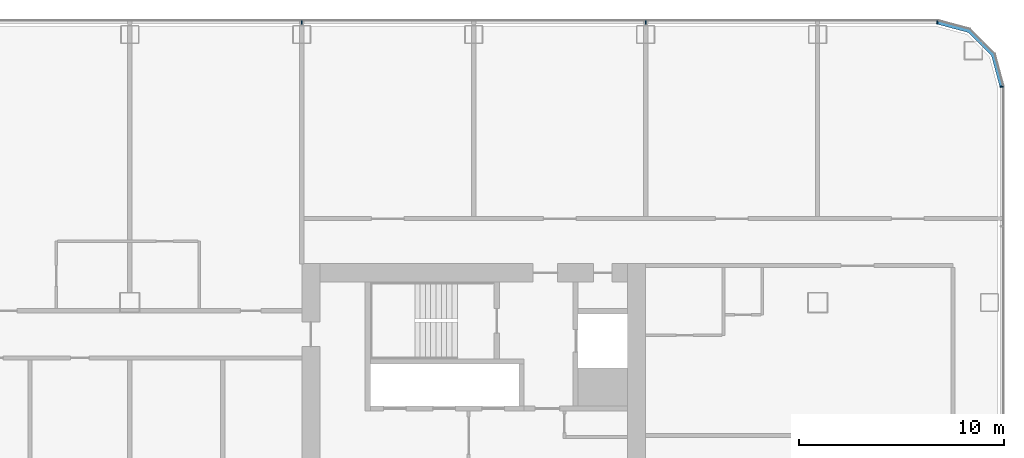
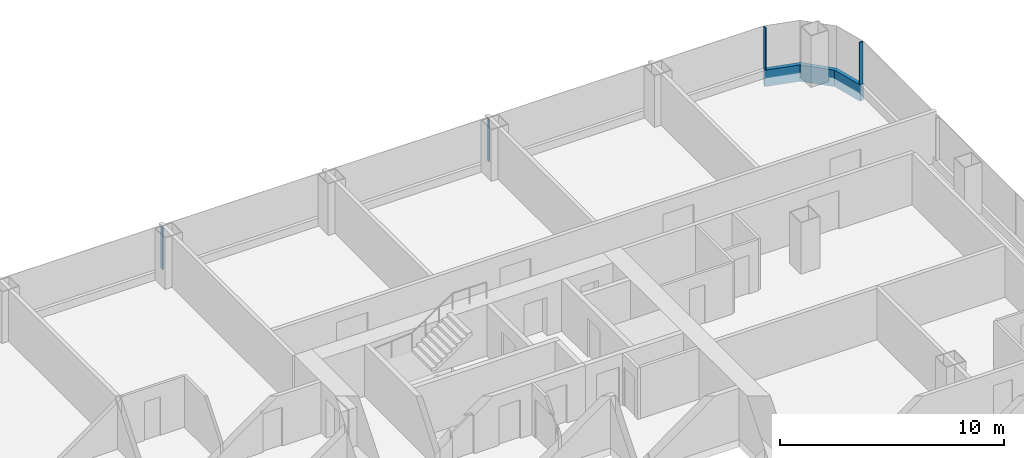
# One storey, part 11 of 29: 5 members, 3 elements without a shape of their own.
"""IFC4 building model written with IfcOpenShell, lengths in metres."""

from ifc_helpers import new_model, si_unit, direction, frame, origin, origin_2d, place, context, subcontext, project, spatial, polyline, rectangle, outline, extrude, material, layer, layer_set, material_profile, profile_set, type_object, element, aggregate, save


model = new_model("IFC4")

# Units and contexts
model_context = context("Model", 3, precision=1e-05, world=origin(), true_north=direction((0.0, 1.0)))
body_context = subcontext(model_context, "Body", "Model", "MODEL_VIEW")
ifc_project = project(units=[si_unit("LENGTHUNIT", "METRE"), si_unit("AREAUNIT", "SQUARE_METRE"), si_unit("VOLUMEUNIT", "CUBIC_METRE"), si_unit("PLANEANGLEUNIT", "RADIAN"), si_unit("MASSUNIT", "GRAM", prefix="KILO")], contexts=[model_context])

# Site, building, storey
site_placement = place(None, origin())
site = spatial("IfcSite", under=ifc_project, at=site_placement, CompositionType="ELEMENT")
building_placement = place(site_placement, origin())
building = spatial("IfcBuilding", under=site, at=building_placement, Name="Hakoniwa Tower and Hamabe Station Hall", CompositionType="ELEMENT")
storey_placement = place(building_placement, frame((0.0, 0.0, 45.39990234375)))
storey = spatial("IfcBuildingStorey", under=building, at=storey_placement, Name="L12", CompositionType="ELEMENT", Elevation=45.39990234375)

# Curtain wall, member
ifc_material_1 = material(Name="Dark low-e laminated glass", Category="glass")
ifc_layer = layer(ifc_material_1, 0.199951171875)
ifc_layer_set = layer_set([ifc_layer], Name="CW-1 UNITISED GUEST")
curtain_wall_type = type_object("IfcCurtainWallType", Name="CW-1 UNITISED GUEST", PredefinedType="NOTDEFINED", material=ifc_layer_set)
curtain_wall_1_placement = place(storey_placement, origin())
curtain_wall_1 = element("IfcCurtainWall", 1, at=curtain_wall_1_placement, inside=storey, type_object=curtain_wall_type, Name="CW-1 curtain wall", PredefinedType="NOTDEFINED")
ifc_material_2 = material(Name="Aluminium 6063-T5 black anodised", Category="aluminium")
ifc_material_profile_1 = material_profile(ifc_material_2, rectangle(XDim=0.199951171875, YDim=0.89990234375, at=origin_2d()), Name="CW SLAB-EDGE BAND 900X200")
ifc_profile_set_1 = profile_set([ifc_material_profile_1], Name="Aluminium 6063-T5 black anodised")
member_type_1 = type_object("IfcMemberType", Name="CW SLAB-EDGE BAND 900X200", PredefinedType="USERDEFINED", material=ifc_profile_set_1)
member_1_placement = place(storey_placement, frame((0.0, 0.0, -0.5498046875)))
member_1 = element("IfcMember", 2, at=member_1_placement, type_object=member_type_1, Name="CW-1 transom", ObjectType="TRANSOM", PredefinedType="USERDEFINED", context=body_context, shape_type="SweptSolid", body=[
    extrude(outline(polyline([(51.10009765625, 17.03955078125), (50.6669921875, 18.6552734375), (49.455322265625, 19.866943359375), (47.839599609375, 20.300048828125), (47.787841796875, 20.10693359375), (49.351806640625, 19.687744140625), (50.48779296875, 18.5517578125), (50.90673828125, 16.98779296875), (51.10009765625, 17.03955078125)])), origin(), (0.0, 0.0, 1.0), 0.89990234375),
])
aggregate(curtain_wall_1, [member_1])

curtain_wall_2_placement = place(storey_placement, origin())
curtain_wall_2 = element("IfcCurtainWall", 3, at=curtain_wall_2_placement, inside=storey, type_object=curtain_wall_type, Name="CW-1 curtain wall", PredefinedType="NOTDEFINED")
ifc_material_3 = material(Name="Aluminium 6063-T5 black anodised", Category="aluminium")
ifc_material_profile_2 = material_profile(ifc_material_3, rectangle(XDim=0.06005859375, YDim=0.179931640625, at=origin_2d()), Name="CW-1 MULLION 60X180")
ifc_profile_set_2 = profile_set([ifc_material_profile_2], Name="Aluminium 6063-T5 black anodised")
member_type_2 = type_object("IfcMemberType", Name="CW-1 MULLION 60X180", PredefinedType="MULLION", material=ifc_profile_set_2)
member_2_placement = place(storey_placement, frame((50.98193359375, 17.03955078125, 0.35009765625), z_axis=(0.0, 0.0, 1.0), x_axis=(0.0, 1.0, 0.0)))
member_2 = element("IfcMember", 4, at=member_2_placement, type_object=member_type_2, Name="CW-1 mullion", PredefinedType="MULLION", context=body_context, shape_type="SweptSolid", body=[
    extrude(rectangle(XDim=0.06005859375, YDim=0.179931640625, at=origin_2d()), origin(), (0.0, 0.0, 1.0), 2.300048828125),
])
aggregate(curtain_wall_2, [member_2])

# Curtain wall, members
curtain_wall_3_placement = place(storey_placement, origin())
curtain_wall_3 = element("IfcCurtainWall", 5, at=curtain_wall_3_placement, inside=storey, type_object=curtain_wall_type, Name="CW-1 curtain wall", PredefinedType="NOTDEFINED")
member_3_placement = place(storey_placement, frame((47.839599609375, 20.181884765625, 0.35009765625), z_axis=(0.0, 0.0, 1.0), x_axis=(-1.0, 0.0, 0.0)))
member_3 = element("IfcMember", 6, at=member_3_placement, type_object=member_type_2, Name="CW-1 mullion", PredefinedType="MULLION", context=body_context, shape_type="SweptSolid", body=[
    extrude(rectangle(XDim=0.06005859375, YDim=0.179931640625, at=origin_2d()), origin(), (0.0, 0.0, 1.0), 2.300048828125),
])
member_4_placement = place(storey_placement, frame((33.60009765625, 20.181884765625, 0.35009765625), z_axis=(0.0, 0.0, 1.0), x_axis=(-1.0, 0.0, 0.0)))
member_4 = element("IfcMember", 7, at=member_4_placement, type_object=member_type_2, Name="CW-1 mullion", PredefinedType="MULLION", context=body_context, shape_type="SweptSolid", body=[
    extrude(rectangle(XDim=0.06005859375, YDim=0.179931640625, at=origin_2d()), origin(), (0.0, 0.0, 1.0), 2.300048828125),
])
member_5_placement = place(storey_placement, frame((16.800048828125, 20.181884765625, 0.35009765625), z_axis=(0.0, 0.0, 1.0), x_axis=(-1.0, 0.0, 0.0)))
member_5 = element("IfcMember", 8, at=member_5_placement, type_object=member_type_2, Name="CW-1 mullion", PredefinedType="MULLION", context=body_context, shape_type="SweptSolid", body=[
    extrude(rectangle(XDim=0.06005859375, YDim=0.179931640625, at=origin_2d()), origin(), (0.0, 0.0, 1.0), 2.300048828125),
])
aggregate(curtain_wall_3, [member_3, member_4, member_5])

save(model, "model.ifc")
